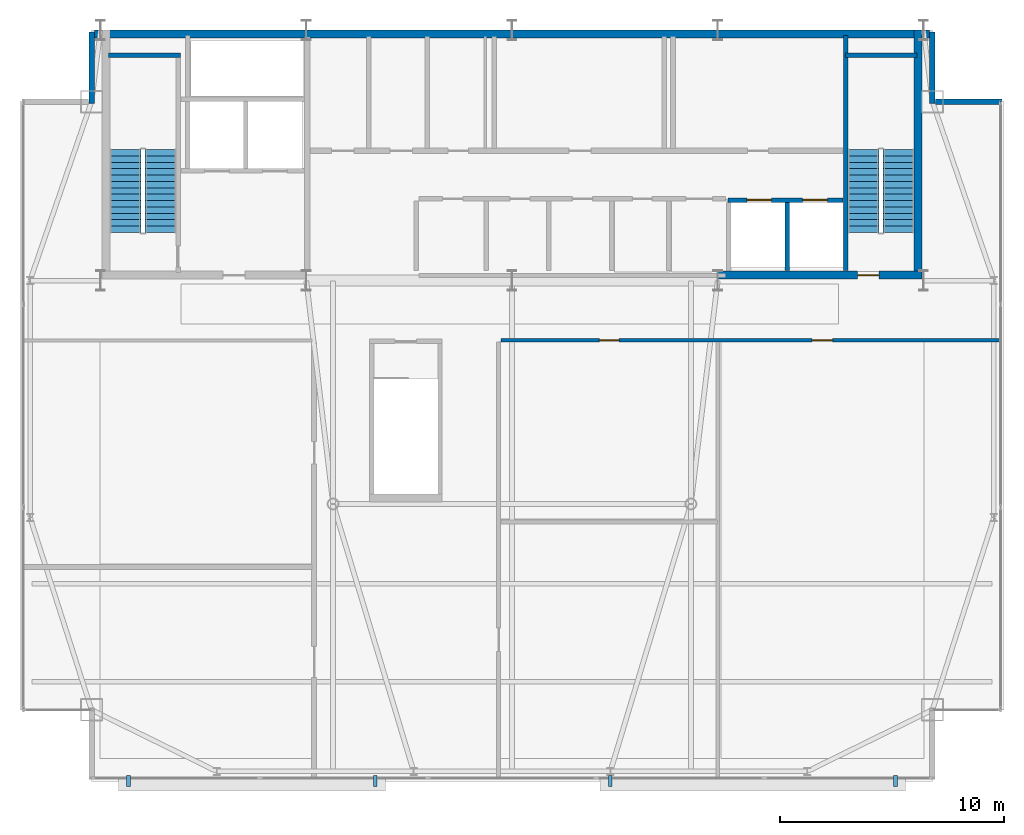
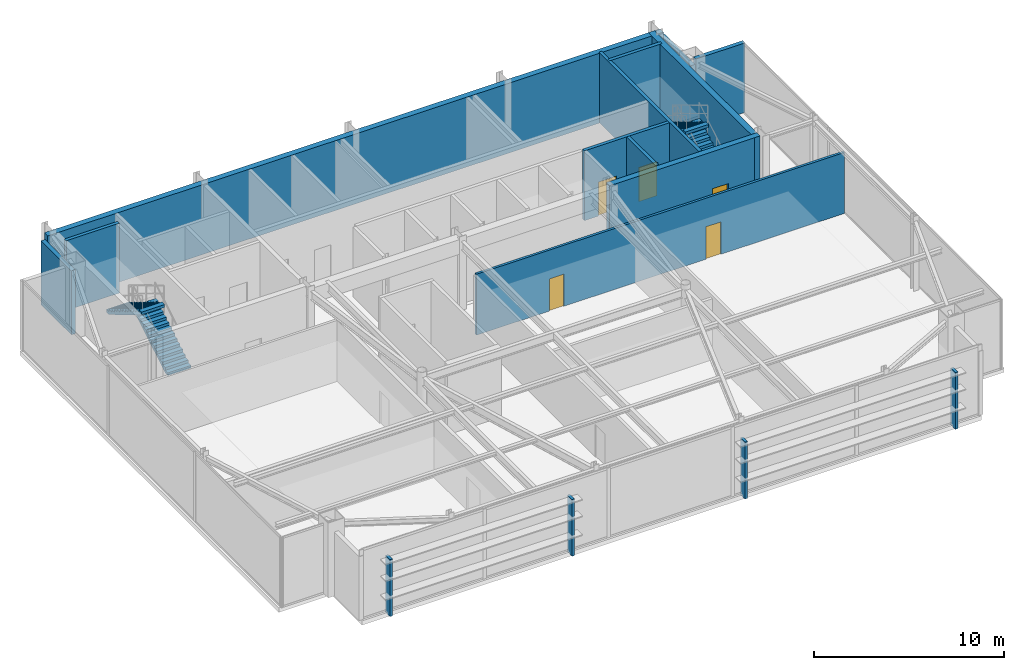
# One storey, part 19 of 20: 12 walls, 5 doors, 4 discrete accessories, 4 stair flights, 5 openings, 2 elements without a shape of their own.
"""IFC4 building model written with IfcOpenShell, lengths in metres."""

from ifc_helpers import new_model, si_unit, direction, frame, frame_2d, origin, origin_2d, place, context, subcontext, project, spatial, polyline, rectangle, outline, extrude, source, transform, mapped, material, layer, layer_set, type_object, type_shapes, element, fill, aggregate, save


model = new_model("IFC4")

# Units and contexts
model_context = context("Model", 3, precision=1e-05, world=origin(), true_north=direction((0.0, 1.0)))
body_context = subcontext(model_context, "Body", "Model", "MODEL_VIEW")
ifc_project = project(units=[si_unit("LENGTHUNIT", "METRE"), si_unit("AREAUNIT", "SQUARE_METRE"), si_unit("VOLUMEUNIT", "CUBIC_METRE"), si_unit("PLANEANGLEUNIT", "RADIAN"), si_unit("MASSUNIT", "GRAM", prefix="KILO")], contexts=[model_context])

# Site, building, storey
site_placement = place(None, origin())
site = spatial("IfcSite", under=ifc_project, at=site_placement, CompositionType="ELEMENT")
building_placement = place(site_placement, origin())
building = spatial("IfcBuilding", under=site, at=building_placement, Name="Varnel Quay Broadcast Tower", CompositionType="ELEMENT")
storey_placement = place(building_placement, frame((0.0, 0.0, 309.800048828125)))
storey = spatial("IfcBuildingStorey", under=building, at=storey_placement, Name="L77", CompositionType="ELEMENT", Elevation=309.800048828125)

# Walls
ifc_material_1 = material(Name="Concrete CSA A23.3 C50/60", Category="concrete")
ifc_layer_1 = layer(ifc_material_1, 0.199951171875, Name="Concrete CSA A23.3 C50/60")
ifc_layer_set_1 = layer_set([ifc_layer_1], Name="Concrete CSA A23.3 C50/60")
wall_type_1 = type_object("IfcWallType", Name="Wall_CoreShaftShear200", PredefinedType="SHEAR", material=ifc_layer_set_1)
wall_1_placement = place(storey_placement, frame((15.949951171875, 45.679931640625, 0.0), z_axis=(0.0, 0.0, 1.0), x_axis=(1.0, 0.0, 0.0)))
element("IfcWall", 1, at=wall_1_placement, inside=storey, type_object=wall_type_1, Name="L77 Stair 1 North Structural Wall", PredefinedType="SHEAR", context=body_context, shape_type="SweptSolid", body=[
    extrude(rectangle(XDim=3.22998046875, YDim=0.199951171875, at=frame_2d((1.614990234375, 0.0))), origin(), (0.0, 0.0, 1.0), 4.47998046875),
])
wall_2_placement = place(storey_placement, frame((48.919921875, 36.050048828125, 0.0), z_axis=(0.0, 0.0, 1.0), x_axis=(0.0, 1.0, 0.0)))
element("IfcWall", 2, at=wall_2_placement, inside=storey, type_object=wall_type_1, Name="L77 Stair 2 West Structural Wall", PredefinedType="SHEAR", context=body_context, shape_type="SweptSolid", body=[
    extrude(rectangle(XDim=10.5, YDim=0.199951171875, at=frame_2d((5.25, 0.0))), origin(), (0.0, 0.0, 1.0), 4.47998046875),
])
wall_3_placement = place(storey_placement, frame((48.919921875, 45.679931640625, 0.0), z_axis=(0.0, 0.0, 1.0), x_axis=(1.0, 0.0, 0.0)))
element("IfcWall", 3, at=wall_3_placement, inside=storey, type_object=wall_type_1, Name="L77 Stair 2 North Structural Wall", PredefinedType="SHEAR", context=body_context, shape_type="SweptSolid", body=[
    extrude(rectangle(XDim=3.18017578125, YDim=0.199951171875, at=frame_2d((1.590087890625, 0.0))), origin(), (0.0, 0.0, 1.0), 4.47998046875),
])
wall_4_placement = place(storey_placement, frame((46.300048828125, 36.050048828125, 0.0), z_axis=(0.0, 0.0, 1.0), x_axis=(0.0, 1.0, 0.0)))
element("IfcWall", 4, at=wall_4_placement, inside=storey, type_object=wall_type_1, Name="L77 Express Lift Shaft Divider", PredefinedType="SHEAR", context=body_context, shape_type="SweptSolid", body=[
    extrude(rectangle(XDim=3.050048828125, YDim=0.199951171875, at=frame_2d((1.52490234375, 0.0))), origin(), (0.0, 0.0, 1.0), 4.47998046875),
])

# Wall, openings, doors
wall_5_placement = place(storey_placement, frame((43.64990234375, 39.199951171875, 0.0), z_axis=(0.0, 0.0, 1.0), x_axis=(1.0, 0.0, 0.0)))
wall_5 = element("IfcWall", 5, at=wall_5_placement, inside=storey, type_object=wall_type_1, Name="L77 Express Lift Shaft North Front Wall", PredefinedType="SHEAR", context=body_context, shape_type="SweptSolid", body=[
    extrude(rectangle(XDim=5.150146484375, YDim=0.199951171875, at=frame_2d((2.5751953125, 0.0))), origin(), (0.0, 0.0, 1.0), 4.47998046875),
])
opening_1_placement = place(wall_5_placement, frame((0.85009765625, 0.0, 0.0)))
opening_1 = element("IfcOpeningElement", 6, at=opening_1_placement, cuts=wall_5, Name="Opening LD-L77-PO1", PredefinedType="OPENING", context=body_context, shape_type="SweptSolid", body=[
    extrude(rectangle(XDim=1.10009765625, YDim=2.179931640625, at=frame_2d((0.550048828125, 1.08984375))), frame((0.0, 0.10986328125, 0.0), z_axis=(0.0, -1.0, 0.0), x_axis=(1.0, 0.0, 0.0)), (0.0, 0.0, 1.0), 0.219970703125),
])
opening_2_placement = place(wall_5_placement, frame((3.35009765625, 0.0, 0.0)))
opening_2 = element("IfcOpeningElement", 7, at=opening_2_placement, cuts=wall_5, Name="Opening LD-L77-PO2", PredefinedType="OPENING", context=body_context, shape_type="SweptSolid", body=[
    extrude(rectangle(XDim=1.10009765625, YDim=2.179931640625, at=frame_2d((0.550048828125, 1.08984375))), frame((0.0, 0.10986328125, 0.0), z_axis=(0.0, -1.0, 0.0), x_axis=(1.0, 0.0, 0.0)), (0.0, 0.0, 1.0), 0.219970703125),
])
ifc_material_2 = material(Name="Brushed Bronze-Stainless Lift Car & Sliding Doors", Category="steel")
door_type_1 = type_object("IfcDoorType", Name="Door_LiftLanding1100", OperationType="SLIDING_TO_LEFT", PredefinedType="DOOR", material=ifc_material_2)
shared_shape_1 = source(origin(), body_context, "Body", "SweptSolid", [
    extrude(rectangle(XDim=1.10009765625, YDim=2.179931640625, at=frame_2d((0.550048828125, 1.08984375))), frame((0.0, 0.02490234375, 0.0), z_axis=(0.0, -1.0, 0.0), x_axis=(1.0, 0.0, 0.0)), (0.0, 0.0, 1.0), 0.050048828125),
])
type_shapes(door_type_1, [shared_shape_1])
door_1_placement = place(opening_1_placement, origin())
door_1 = element("IfcDoor", 8, at=door_1_placement, inside=storey, type_object=door_type_1, Name="L77 Express Lift PO-01 Landing Door", OperationType="SLIDING_TO_LEFT", OverallHeight=2.179931640625, OverallWidth=1.10009765625, PredefinedType="DOOR", context=body_context, shape_type="MappedRepresentation", body=[
    mapped(shared_shape_1, transform((0.0, 0.0, 0.0), x_axis=(1.0, 0.0, 0.0), y_axis=(0.0, 1.0, 0.0), z_axis=(0.0, 0.0, 1.0), scale=1.0)),
])
fill(opening_1, door_1)
door_2_placement = place(opening_2_placement, origin())
door_2 = element("IfcDoor", 9, at=door_2_placement, inside=storey, type_object=door_type_1, Name="L77 Express Lift PO-02 Landing Door", OperationType="SLIDING_TO_RIGHT", OverallHeight=2.179931640625, OverallWidth=1.10009765625, PredefinedType="DOOR", context=body_context, shape_type="MappedRepresentation", body=[
    mapped(shared_shape_1, transform((0.0, 0.0, 0.0), x_axis=(1.0, 0.0, 0.0), y_axis=(0.0, 1.0, 0.0), z_axis=(0.0, 0.0, 1.0), scale=1.0)),
])
fill(opening_2, door_2)

# Walls
ifc_layer_2 = layer(ifc_material_1, 0.35009765625, Name="Concrete CSA A23.3 C50/60")
ifc_layer_set_2 = layer_set([ifc_layer_2], Name="Concrete CSA A23.3 C50/60")
wall_type_2 = type_object("IfcWallType", Name="Wall_CoreShearExt350", PredefinedType="SHEAR", material=ifc_layer_set_2)
wall_6_placement = place(storey_placement, frame((15.324951171875, 46.625, 0.0), z_axis=(0.0, 0.0, 1.0), x_axis=(1.0, 0.0, 0.0)))
element("IfcWall", 10, at=wall_6_placement, inside=storey, type_object=wall_type_2, Name="L77 North Core Shear Wall", PredefinedType="SHEAR", context=body_context, shape_type="SweptSolid", body=[
    extrude(rectangle(XDim=37.35009765625, YDim=0.35009765625, at=frame_2d((18.675048828125, 0.0))), origin(), (0.0, 0.0, 1.0), 4.47998046875),
])
ifc_layer_3 = layer(ifc_material_1, 0.35009765625, Name="Concrete CSA A23.3 C50/60")
ifc_layer_set_3 = layer_set([ifc_layer_3], Name="Concrete CSA A23.3 C50/60")
wall_type_3 = type_object("IfcWallType", Name="Wall_CoreShearInt350", PredefinedType="SHEAR", material=ifc_layer_set_3)
wall_7_placement = place(storey_placement, frame((52.155029296875, 35.669921875, 0.0), z_axis=(0.0, 0.0, 1.0), x_axis=(0.0, 1.0, 0.0)))
element("IfcWall", 11, at=wall_7_placement, inside=storey, type_object=wall_type_3, Name="L77 East Core Shear Wall", PredefinedType="SHEAR", context=body_context, shape_type="SweptSolid", body=[
    extrude(rectangle(XDim=11.130126953125, YDim=0.35009765625, at=frame_2d((5.56494140625, 0.0))), origin(), (0.0, 0.0, 1.0), 4.47998046875),
])

# Wall, opening, door
wall_8_placement = place(storey_placement, frame((43.199951171875, 35.844970703125, 0.0), z_axis=(0.0, 0.0, 1.0), x_axis=(1.0, 0.0, 0.0)))
wall_8 = element("IfcWall", 12, at=wall_8_placement, inside=storey, type_object=wall_type_3, Name="L77 South-East Core Shear Wall", PredefinedType="SHEAR", context=body_context, shape_type="SweptSolid", body=[
    extrude(rectangle(XDim=9.130126953125, YDim=0.35009765625, at=frame_2d((4.56494140625, 0.0))), origin(), (0.0, 0.0, 1.0), 4.47998046875),
])
opening_3_placement = place(wall_8_placement, frame((6.25, 0.0, 0.0)))
opening_3 = element("IfcOpeningElement", 13, at=opening_3_placement, cuts=wall_8, Name="Opening D-L77-S2", PredefinedType="OPENING", context=body_context, shape_type="SweptSolid", body=[
    extrude(rectangle(XDim=0.949951171875, YDim=2.10009765625, at=frame_2d((0.47509765625, 1.050048828125))), frame((0.0, 0.18505859375, 0.0), z_axis=(0.0, -1.0, 0.0), x_axis=(1.0, 0.0, 0.0)), (0.0, 0.0, 1.0), 0.3701171875),
])
ifc_material_3 = material(Name="Insulated Fire-Rated Hollow Steel Door", Category="steel")
door_type_2 = type_object("IfcDoorType", Name="Door_FireStair950", OperationType="NOTDEFINED", PredefinedType="DOOR", material=ifc_material_3)
shared_shape_2 = source(origin(), body_context, "Body", "SweptSolid", [
    extrude(rectangle(XDim=0.949951171875, YDim=2.10009765625, at=frame_2d((0.47509765625, 1.050048828125))), frame((0.0, 0.02490234375, 0.0), z_axis=(0.0, -1.0, 0.0), x_axis=(1.0, 0.0, 0.0)), (0.0, 0.0, 1.0), 0.050048828125),
])
type_shapes(door_type_2, [shared_shape_2])
door_3_placement = place(opening_3_placement, origin())
door_3 = element("IfcDoor", 14, at=door_3_placement, inside=storey, type_object=door_type_2, Name="L77 Stair 2 Fire Door", OperationType="SINGLE_SWING_RIGHT", OverallHeight=2.10009765625, OverallWidth=0.949951171875, PredefinedType="DOOR", context=body_context, shape_type="MappedRepresentation", body=[
    mapped(shared_shape_2, transform((0.0, 0.0, 0.0), x_axis=(1.0, 0.0, 0.0), y_axis=(0.0, 1.0, 0.0), z_axis=(0.0, 0.0, 1.0), scale=1.0)),
])
fill(opening_3, door_3)

# Walls
ifc_material_4 = material(Name="Precast Architectural Concrete C40/50", Category="concrete")
ifc_layer_4 = layer(ifc_material_4, 0.25, Name="Precast Architectural Concrete C40/50")
ifc_layer_set_4 = layer_set([ifc_layer_4], Name="Precast Architectural Concrete C40/50")
wall_type_4 = type_object("IfcWallType", Name="Wall_ExtTerrace250", PredefinedType="SOLIDWALL", material=ifc_layer_set_4)
wall_9_placement = place(storey_placement, frame((15.199951171875, 43.52001953125, 0.0), z_axis=(0.0, 0.0, 1.0), x_axis=(0.0, 1.0, 0.0)))
element("IfcWall", 15, at=wall_9_placement, inside=storey, type_object=wall_type_4, Name="L77 Mega-Column Notch Cladding Wall NNW2", PredefinedType="SOLIDWALL", context=body_context, shape_type="SweptSolid", body=[
    extrude(rectangle(XDim=3.199951171875, YDim=0.25, at=frame_2d((1.60009765625, 0.0))), origin(), (0.0, 0.0, 1.0), 4.100830078125),
])
wall_10_placement = place(storey_placement, frame((52.929931640625, 43.60009765625, 0.0), z_axis=(0.0, 0.0, 1.0), x_axis=(1.0, 0.0, 0.0)))
element("IfcWall", 16, at=wall_10_placement, inside=storey, type_object=wall_type_4, Name="L77 Mega-Column Notch Cladding Wall NNE1", PredefinedType="SOLIDWALL", context=body_context, shape_type="SweptSolid", body=[
    extrude(rectangle(XDim=2.989990234375, YDim=0.25, at=frame_2d((1.4951171875, 0.0))), origin(), (0.0, 0.0, 1.0), 4.4599609375),
])
wall_11_placement = place(storey_placement, frame((52.800048828125, 43.52001953125, 0.0), z_axis=(0.0, 0.0, 1.0), x_axis=(0.0, 1.0, 0.0)))
element("IfcWall", 17, at=wall_11_placement, inside=storey, type_object=wall_type_4, Name="L77 Mega-Column Notch Cladding Wall NNE2", PredefinedType="SOLIDWALL", context=body_context, shape_type="SweptSolid", body=[
    extrude(rectangle(XDim=3.199951171875, YDim=0.25, at=frame_2d((1.60009765625, 0.0))), origin(), (0.0, 0.0, 1.0), 4.100830078125),
])

# Wall, openings, doors
ifc_material_5 = material(Name="Steel-Stud Fire-Rated Acoustic Gypsum Partition Assembly", Category="steel")
ifc_layer_5 = layer(ifc_material_5, 0.14990234375, Name="Steel-Stud Fire-Rated Acoustic Gypsum Partition Assembly")
ifc_layer_set_5 = layer_set([ifc_layer_5], Name="Steel-Stud Fire-Rated Acoustic Gypsum Partition Assembly")
wall_type_5 = type_object("IfcWallType", Name="Wall_Partition150", PredefinedType="PARTITIONING", material=ifc_layer_set_5)
wall_12_placement = place(storey_placement, frame((33.5, 32.925048828125, 0.0), z_axis=(0.0, 0.0, 1.0), x_axis=(1.0, 0.0, 0.0)))
wall_12 = element("IfcWall", 18, at=wall_12_placement, inside=storey, type_object=wall_type_5, Name="L77 Live Transmission Control A Partition 14", PredefinedType="PARTITIONING", context=body_context, shape_type="SweptSolid", body=[
    extrude(rectangle(XDim=22.320068359375, YDim=0.14990234375, at=frame_2d((11.16015625, 0.0))), origin(), (0.0, 0.0, 1.0), 3.910888671875),
])
opening_4_placement = place(wall_12_placement, frame((13.9150390625, 0.0, 0.0)))
opening_4 = element("IfcOpeningElement", 19, at=opening_4_placement, cuts=wall_12, Name="Opening D-L77-09", PredefinedType="OPENING", context=body_context, shape_type="SweptSolid", body=[
    extrude(rectangle(XDim=0.919921875, YDim=2.080078125, at=frame_2d((0.4599609375, 1.0400390625))), frame((0.0, 0.0849609375, 0.0), z_axis=(0.0, -1.0, 0.0), x_axis=(1.0, 0.0, 0.0)), (0.0, 0.0, 1.0), 0.169921875),
])
opening_5_placement = place(wall_12_placement, frame((4.409912109375, 0.0, 0.0)))
opening_5 = element("IfcOpeningElement", 20, at=opening_5_placement, cuts=wall_12, Name="Opening D-L77-10", PredefinedType="OPENING", context=body_context, shape_type="SweptSolid", body=[
    extrude(rectangle(XDim=0.8798828125, YDim=2.06005859375, at=frame_2d((0.43994140625, 1.030029296875))), frame((0.0, 0.0849609375, 0.0), z_axis=(0.0, -1.0, 0.0), x_axis=(1.0, 0.0, 0.0)), (0.0, 0.0, 1.0), 0.169921875),
])
ifc_material_6 = material(Name="Solid-Core Fire-Rated Acoustic Oak Veneer Door", Category="wood")
door_type_3 = type_object("IfcDoorType", Name="Door_Booth880", OperationType="NOTDEFINED", PredefinedType="DOOR", material=ifc_material_6)
shared_shape_3 = source(origin(), body_context, "Body", "SweptSolid", [
    extrude(rectangle(XDim=0.8798828125, YDim=2.06005859375, at=frame_2d((0.43994140625, 1.030029296875))), frame((0.0, 0.02490234375, 0.0), z_axis=(0.0, -1.0, 0.0), x_axis=(1.0, 0.0, 0.0)), (0.0, 0.0, 1.0), 0.050048828125),
])
type_shapes(door_type_3, [shared_shape_3])
door_4_placement = place(opening_5_placement, frame((0.8798828125, 0.0, 0.0), z_axis=(0.0, 0.0, 1.0), x_axis=(-1.0, 0.0, 0.0)))
door_4 = element("IfcDoor", 21, at=door_4_placement, inside=storey, type_object=door_type_3, Name="L77 Press Hospitality Pantry Door D-L77-10", OperationType="SINGLE_SWING_LEFT", OverallHeight=2.06005859375, OverallWidth=0.8798828125, PredefinedType="DOOR", context=body_context, shape_type="MappedRepresentation", body=[
    mapped(shared_shape_3, transform((0.0, 0.0, 0.0), x_axis=(1.0, 0.0, 0.0), y_axis=(0.0, 1.0, 0.0), z_axis=(0.0, 0.0, 1.0), scale=1.0)),
])
fill(opening_5, door_4)
door_type_4 = type_object("IfcDoorType", Name="Door_Office920", OperationType="NOTDEFINED", PredefinedType="DOOR", material=ifc_material_6)
shared_shape_4 = source(origin(), body_context, "Body", "SweptSolid", [
    extrude(rectangle(XDim=0.919921875, YDim=2.080078125, at=frame_2d((0.4599609375, 1.0400390625))), frame((0.0, 0.02490234375, 0.0), z_axis=(0.0, -1.0, 0.0), x_axis=(1.0, 0.0, 0.0)), (0.0, 0.0, 1.0), 0.050048828125),
])
type_shapes(door_type_4, [shared_shape_4])
door_5_placement = place(opening_4_placement, frame((0.919921875, 0.0, 0.0), z_axis=(0.0, 0.0, 1.0), x_axis=(-1.0, 0.0, 0.0)))
door_5 = element("IfcDoor", 22, at=door_5_placement, inside=storey, type_object=door_type_4, Name="L77 Live Transmission Control A Door D-L77-09", OperationType="SINGLE_SWING_RIGHT", OverallHeight=2.080078125, OverallWidth=0.919921875, PredefinedType="DOOR", context=body_context, shape_type="MappedRepresentation", body=[
    mapped(shared_shape_4, transform((0.0, 0.0, 0.0), x_axis=(1.0, 0.0, 0.0), y_axis=(0.0, 1.0, 0.0), z_axis=(0.0, 0.0, 1.0), scale=1.0)),
])
fill(opening_4, door_5)

# Stair, stair flights
ifc_material_7 = material(Name="Precast Structural Concrete C40/50", Category="concrete")
stair_type_1 = type_object("IfcStairType", Name="Stair_ST-01", PredefinedType="HALF_TURN_STAIR", material=ifc_material_7)
stair_1_placement = place(storey_placement, origin())
stair_1 = element("IfcStair", 23, at=stair_1_placement, inside=storey, type_object=stair_type_1, Name="L77 West Core Exit Stair 1", PredefinedType="HALF_TURN_STAIR")
stair_flight_type_1 = type_object("IfcStairFlightType", Name="Flight_ST-01", PredefinedType="STRAIGHT", material=ifc_material_7)
stair_flight_1_placement = place(storey_placement, frame((18.300048828125, 37.75, 0.0), z_axis=(0.0, 0.0, 1.0), x_axis=(0.0, 1.0, 0.0)))
stair_flight_1 = element("IfcStairFlight", 24, at=stair_flight_1_placement, type_object=stair_flight_type_1, Name="ST-01 flight 1", NumberOfRisers=14, NumberOfTreads=13, PredefinedType="STRAIGHT", RiserHeight=0.171428571, TreadLength=0.285, context=body_context, shape_type="SweptSolid", body=[
    extrude(outline(polyline([(0.0, 0.0), (0.0, 0.17138671875), (0.284912109375, 0.17138671875), (0.284912109375, 0.3427734375), (0.570068359375, 0.3427734375), (0.570068359375, 0.514404296875), (0.85498046875, 0.514404296875), (0.85498046875, 0.685791015625), (1.139892578125, 0.685791015625), (1.139892578125, 0.857177734375), (1.425048828125, 0.857177734375), (1.425048828125, 1.028564453125), (1.7099609375, 1.028564453125), (1.7099609375, 1.199951171875), (1.9951171875, 1.199951171875), (1.9951171875, 1.371337890625), (2.280029296875, 1.371337890625), (2.280029296875, 1.54296875), (2.56494140625, 1.54296875), (2.56494140625, 1.71435546875), (2.85009765625, 1.71435546875), (2.85009765625, 1.8857421875), (3.135009765625, 1.8857421875), (3.135009765625, 2.05712890625), (3.419921875, 2.05712890625), (3.419921875, 2.228515625), (3.705078125, 2.228515625), (3.705078125, 2.39990234375), (3.705078125, 2.0537109375), (0.290771484375, 0.0), (0.0, 0.0)])), frame((0.0, 0.699951171875, 0.0), z_axis=(0.0, -1.0, 0.0), x_axis=(1.0, 0.0, 0.0)), (0.0, 0.0, 1.0), 1.39990234375),
])
stair_flight_2_placement = place(storey_placement, frame((16.699951171875, 41.455078125, 2.39990234375), z_axis=(0.0, 0.0, 1.0), x_axis=(0.0, -1.0, 0.0)))
stair_flight_2 = element("IfcStairFlight", 25, at=stair_flight_2_placement, type_object=stair_flight_type_1, Name="ST-01 flight 2", NumberOfRisers=14, NumberOfTreads=13, PredefinedType="STRAIGHT", RiserHeight=0.171428571, TreadLength=0.285, context=body_context, shape_type="SweptSolid", body=[
    extrude(outline(polyline([(0.0, 0.0), (0.0, 0.17138671875), (0.284912109375, 0.17138671875), (0.284912109375, 0.3427734375), (0.570068359375, 0.3427734375), (0.570068359375, 0.514404296875), (0.85498046875, 0.514404296875), (0.85498046875, 0.685791015625), (1.139892578125, 0.685791015625), (1.139892578125, 0.857177734375), (1.425048828125, 0.857177734375), (1.425048828125, 1.028564453125), (1.7099609375, 1.028564453125), (1.7099609375, 1.199951171875), (1.9951171875, 1.199951171875), (1.9951171875, 1.371337890625), (2.280029296875, 1.371337890625), (2.280029296875, 1.54296875), (2.56494140625, 1.54296875), (2.56494140625, 1.71435546875), (2.85009765625, 1.71435546875), (2.85009765625, 1.8857421875), (3.135009765625, 1.8857421875), (3.135009765625, 2.05712890625), (3.419921875, 2.05712890625), (3.419921875, 2.228515625), (3.705078125, 2.228515625), (3.705078125, 2.39990234375), (3.705078125, 2.0537109375), (0.290771484375, 0.0), (0.0, 0.0)])), frame((0.0, 0.699951171875, 0.0), z_axis=(0.0, -1.0, 0.0), x_axis=(1.0, 0.0, 0.0)), (0.0, 0.0, 1.0), 1.39990234375),
])
aggregate(stair_1, [stair_flight_1, stair_flight_2])

stair_type_2 = type_object("IfcStairType", Name="Stair_ST-02", PredefinedType="HALF_TURN_STAIR", material=ifc_material_7)
stair_2_placement = place(storey_placement, origin())
stair_2 = element("IfcStair", 26, at=stair_2_placement, inside=storey, type_object=stair_type_2, Name="L77 East Core Exit Stair 2", PredefinedType="HALF_TURN_STAIR")
stair_flight_type_2 = type_object("IfcStairFlightType", Name="Flight_ST-02", PredefinedType="STRAIGHT", material=ifc_material_7)
stair_flight_3_placement = place(storey_placement, frame((51.300048828125, 37.75, 0.0), z_axis=(0.0, 0.0, 1.0), x_axis=(0.0, 1.0, 0.0)))
stair_flight_3 = element("IfcStairFlight", 27, at=stair_flight_3_placement, type_object=stair_flight_type_2, Name="ST-02 flight 1", NumberOfRisers=14, NumberOfTreads=13, PredefinedType="STRAIGHT", RiserHeight=0.171428571, TreadLength=0.285, context=body_context, shape_type="SweptSolid", body=[
    extrude(outline(polyline([(0.0, 0.0), (0.0, 0.17138671875), (0.284912109375, 0.17138671875), (0.284912109375, 0.3427734375), (0.570068359375, 0.3427734375), (0.570068359375, 0.514404296875), (0.85498046875, 0.514404296875), (0.85498046875, 0.685791015625), (1.139892578125, 0.685791015625), (1.139892578125, 0.857177734375), (1.425048828125, 0.857177734375), (1.425048828125, 1.028564453125), (1.7099609375, 1.028564453125), (1.7099609375, 1.199951171875), (1.9951171875, 1.199951171875), (1.9951171875, 1.371337890625), (2.280029296875, 1.371337890625), (2.280029296875, 1.54296875), (2.56494140625, 1.54296875), (2.56494140625, 1.71435546875), (2.85009765625, 1.71435546875), (2.85009765625, 1.8857421875), (3.135009765625, 1.8857421875), (3.135009765625, 2.05712890625), (3.419921875, 2.05712890625), (3.419921875, 2.228515625), (3.705078125, 2.228515625), (3.705078125, 2.39990234375), (3.705078125, 2.0537109375), (0.290771484375, 0.0), (0.0, 0.0)])), frame((0.0, 0.699951171875, 0.0), z_axis=(0.0, -1.0, 0.0), x_axis=(1.0, 0.0, 0.0)), (0.0, 0.0, 1.0), 1.39990234375),
])
stair_flight_4_placement = place(storey_placement, frame((49.699951171875, 41.455078125, 2.39990234375), z_axis=(0.0, 0.0, 1.0), x_axis=(0.0, -1.0, 0.0)))
stair_flight_4 = element("IfcStairFlight", 28, at=stair_flight_4_placement, type_object=stair_flight_type_2, Name="ST-02 flight 2", NumberOfRisers=14, NumberOfTreads=13, PredefinedType="STRAIGHT", RiserHeight=0.171428571, TreadLength=0.285, context=body_context, shape_type="SweptSolid", body=[
    extrude(outline(polyline([(0.0, 0.0), (0.0, 0.17138671875), (0.284912109375, 0.17138671875), (0.284912109375, 0.3427734375), (0.570068359375, 0.3427734375), (0.570068359375, 0.514404296875), (0.85498046875, 0.514404296875), (0.85498046875, 0.685791015625), (1.139892578125, 0.685791015625), (1.139892578125, 0.857177734375), (1.425048828125, 0.857177734375), (1.425048828125, 1.028564453125), (1.7099609375, 1.028564453125), (1.7099609375, 1.199951171875), (1.9951171875, 1.199951171875), (1.9951171875, 1.371337890625), (2.280029296875, 1.371337890625), (2.280029296875, 1.54296875), (2.56494140625, 1.54296875), (2.56494140625, 1.71435546875), (2.85009765625, 1.71435546875), (2.85009765625, 1.8857421875), (3.135009765625, 1.8857421875), (3.135009765625, 2.05712890625), (3.419921875, 2.05712890625), (3.419921875, 2.228515625), (3.705078125, 2.228515625), (3.705078125, 2.39990234375), (3.705078125, 2.0537109375), (0.290771484375, 0.0), (0.0, 0.0)])), frame((0.0, 0.699951171875, 0.0), z_axis=(0.0, -1.0, 0.0), x_axis=(1.0, 0.0, 0.0)), (0.0, 0.0, 1.0), 1.39990234375),
])
aggregate(stair_2, [stair_flight_3, stair_flight_4])

# Discrete accessories
ifc_material_8 = material(Name="Anodised Bronze Aluminium 6063-T6", Category="aluminium")
ifc_layer_6 = layer(ifc_material_8, 0.47998046875, Name="Anodised Bronze Aluminium 6063-T6")
ifc_layer_set_6 = layer_set([ifc_layer_6], Name="Anodised Bronze Aluminium 6063-T6")
discrete_accessory_type = type_object("IfcDiscreteAccessoryType", Name="Acc_FacadeBracket", PredefinedType="BRACKET", material=ifc_layer_set_6)
shared_shape_5 = source(origin(), body_context, "Body", "SweptSolid", [
    extrude(rectangle(XDim=0.159912109375, YDim=0.47998046875, at=origin_2d()), origin(), (0.0, 0.0, 1.0), 3.64990234375),
])
type_shapes(discrete_accessory_type, [shared_shape_5])
for number, where, z_axis, x_axis, name in (
    (29, (16.85009765625, 13.219970703125, -0.14990234375), (0.0, 0.0, 1.0), (1.0, 0.0, 0.0), "L77 Lobe 1 Louvre Support Bracket 1"),
    (30, (27.89404296875, 13.219970703125, -0.14990234375), (0.0, 0.0, 1.0), (1.0, 0.0, 0.0), "L77 Lobe 1 Louvre Support Bracket 2"),
    (31, (38.39404296875, 13.219970703125, -0.14990234375), (0.0, 0.0, 1.0), (1.0, 0.0, 0.0), "L77 Lobe 2 Louvre Support Bracket 1"),
    (32, (51.14990234375, 13.219970703125, -0.14990234375), (0.0, 0.0, 1.0), (1.0, 0.0, 0.0), "L77 Lobe 2 Louvre Support Bracket 2"),
):
    element("IfcDiscreteAccessory", number, at=place(storey_placement, frame(where, z_axis=z_axis, x_axis=x_axis)), inside=storey, type_object=discrete_accessory_type, Name=name, PredefinedType="BRACKET", context=body_context, shape_type="MappedRepresentation", body=[
        mapped(shared_shape_5, transform((0.0, 0.0, 0.0), x_axis=(1.0, 0.0, 0.0), y_axis=(0.0, 1.0, 0.0), z_axis=(0.0, 0.0, 1.0), scale=1.0)),
    ])

save(model, "model.ifc")
